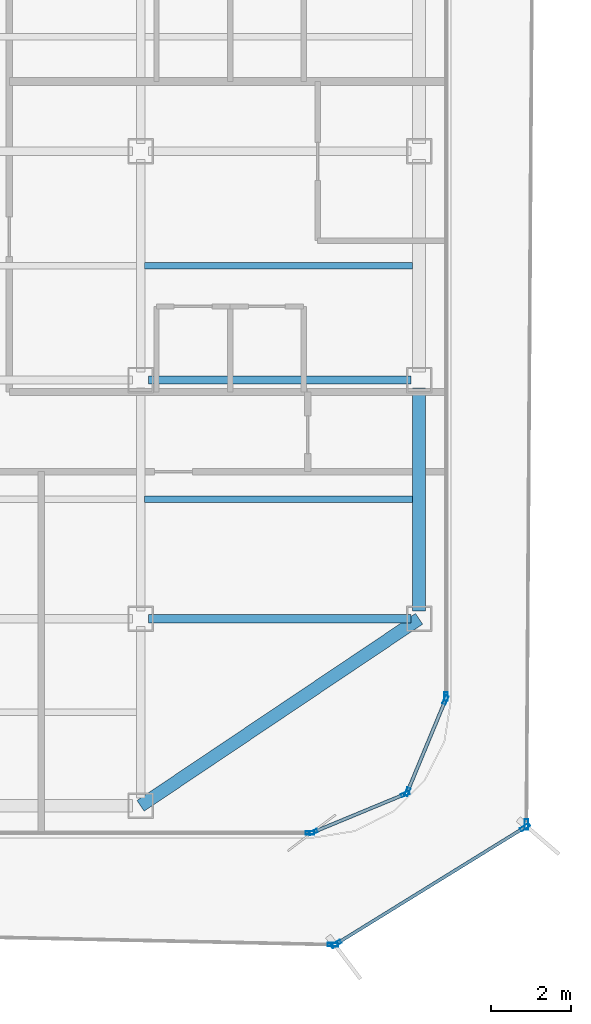
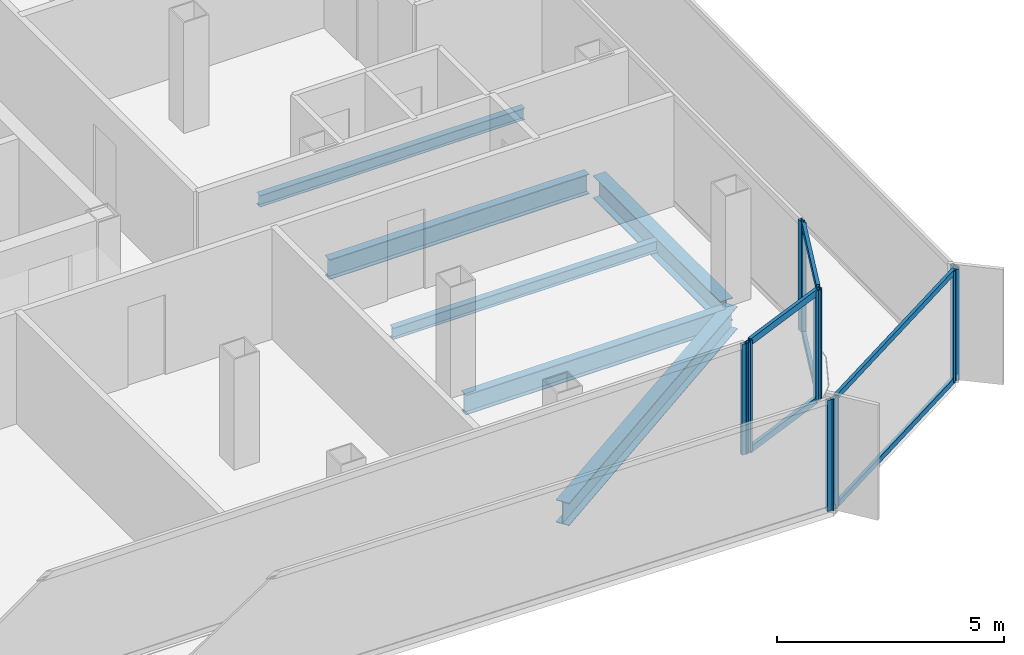
# One storey, part 4 of 15: 16 members, 6 beams, 7 elements without a shape of their own.
"""IFC4 building model written with IfcOpenShell, lengths in metres."""

from ifc_helpers import new_model, si_unit, direction, frame, origin, origin_2d, place, context, subcontext, project, spatial, hollow_rectangle, i_section, extrude, source, transform, mapped, material, layer, layer_set, material_profile, profile_set, type_object, element, aggregate, save


model = new_model("IFC4")

# Units and contexts
model_context = context("Model", 3, precision=1e-05, world=origin(), true_north=direction((0.0, 1.0)))
body_context = subcontext(model_context, "Body", "Model", "MODEL_VIEW")
ifc_project = project(units=[si_unit("LENGTHUNIT", "METRE"), si_unit("AREAUNIT", "SQUARE_METRE"), si_unit("VOLUMEUNIT", "CUBIC_METRE"), si_unit("PLANEANGLEUNIT", "RADIAN"), si_unit("MASSUNIT", "GRAM", prefix="KILO")], contexts=[model_context])

# Site, building, storey
site_placement = place(None, origin())
site = spatial("IfcSite", under=ifc_project, at=site_placement, CompositionType="ELEMENT")
building_placement = place(site_placement, origin())
building = spatial("IfcBuilding", under=site, at=building_placement, Name="Kolveth Station Tower", CompositionType="ELEMENT")
storey_placement = place(building_placement, frame((0.0, 0.0, 248.89990234375)))
storey = spatial("IfcBuildingStorey", under=building, at=storey_placement, Name="L71", CompositionType="ELEMENT", Elevation=248.89990234375)

# Beams
ifc_material_1 = material(Name="Steel S355", Category="steel")
ifc_material_profile_1 = material_profile(ifc_material_1, i_section(OverallWidth=0.323974609375, OverallDepth=0.611083984375, WebThickness=0.0126953125, FlangeThickness=0.01904296875, at=origin_2d()), Name="W610x155")
ifc_profile_set_1 = profile_set([ifc_material_profile_1], Name="Steel S355")
beam_type_1 = type_object("IfcBeamType", Name="Beam_SP2", PredefinedType="SPANDREL", material=ifc_profile_set_1)
shared_shape_1 = source(origin(), body_context, "Body", "SweptSolid", [
    extrude(i_section(OverallWidth=0.323974609375, OverallDepth=0.611083984375, WebThickness=0.0126953125, FlangeThickness=0.01904296875, at=origin_2d()), origin(), (0.0, 0.0, 1.0), 8.431396484375),
])
beam_1_placement = place(storey_placement, frame((34.0, 0.800048828125, -0.525390625), z_axis=(0.830223811004, 0.557430196206, 0.0), x_axis=(-0.557430196206, 0.830223811004, 0.0)))
element("IfcBeam", 1, at=beam_1_placement, inside=storey, type_object=beam_type_1, Name="L71 Corner Edge Girder BM-L71-CNR-SE", PredefinedType="SPANDREL", context=body_context, shape_type="MappedRepresentation", body=[
    mapped(shared_shape_1, transform((0.0, 0.0, 0.0), x_axis=(1.0, 0.0, 0.0), y_axis=(0.0, 1.0, 0.0), z_axis=(0.0, 0.0, 1.0), scale=1.0)),
])
shared_shape_2 = source(origin(), body_context, "Body", "SweptSolid", [
    extrude(i_section(OverallWidth=0.323974609375, OverallDepth=0.611083984375, WebThickness=0.0126953125, FlangeThickness=0.01904296875, at=origin_2d()), origin(), (0.0, 0.0, 1.0), 5.60009765625),
])
beam_2_placement = place(storey_placement, frame((41.0, 5.699951171875, -0.525390625), z_axis=(0.0, 1.0, 0.0), x_axis=(-1.0, 0.0, 0.0)))
element("IfcBeam", 2, at=beam_2_placement, inside=storey, type_object=beam_type_1, Name="L71 Perimeter Spandrel BM-L71-PE-1", PredefinedType="SPANDREL", context=body_context, shape_type="MappedRepresentation", body=[
    mapped(shared_shape_2, transform((0.0, 0.0, 0.0), x_axis=(1.0, 0.0, 0.0), y_axis=(0.0, 1.0, 0.0), z_axis=(0.0, 0.0, 1.0), scale=1.0)),
])
ifc_material_profile_2 = material_profile(ifc_material_1, i_section(OverallWidth=0.2099609375, OverallDepth=0.537109375, WebThickness=0.010986328125, FlangeThickness=0.017333984375, at=origin_2d()), Name="W530x101")
ifc_profile_set_2 = profile_set([ifc_material_profile_2], Name="Steel S355")
beam_type_2 = type_object("IfcBeamType", Name="Beam_B6", PredefinedType="BEAM", material=ifc_profile_set_2)
shared_shape_3 = source(origin(), body_context, "Body", "SweptSolid", [
    extrude(i_section(OverallWidth=0.2099609375, OverallDepth=0.537109375, WebThickness=0.010986328125, FlangeThickness=0.017333984375, at=origin_2d()), origin(), (0.0, 0.0, 1.0), 6.60009765625),
])
for number, where, z_axis, x_axis, name in (
    (3, (34.199951171875, 5.5, -0.48828125), (1.0, 0.0, 0.0), (0.0, 1.0, 0.0), "L71 Primary Girder BM-L71-GY55-5"),
    (4, (34.199951171875, 11.5, -0.48828125), (1.0, 0.0, 0.0), (0.0, 1.0, 0.0), "L71 Primary Girder BM-L71-GY115-5"),
):
    element("IfcBeam", number, at=place(storey_placement, frame(where, z_axis=z_axis, x_axis=x_axis)), inside=storey, type_object=beam_type_2, Name=name, PredefinedType="BEAM", context=body_context, shape_type="MappedRepresentation", body=[
        mapped(shared_shape_3, transform((0.0, 0.0, 0.0), x_axis=(1.0, 0.0, 0.0), y_axis=(0.0, 1.0, 0.0), z_axis=(0.0, 0.0, 1.0), scale=1.0)),
    ])
ifc_material_profile_3 = material_profile(ifc_material_1, i_section(OverallWidth=0.1650390625, OverallDepth=0.31005859375, WebThickness=0.005859375, FlangeThickness=0.009765625, at=origin_2d()), Name="W310x39")
ifc_profile_set_3 = profile_set([ifc_material_profile_3], Name="Steel S355")
beam_type_3 = type_object("IfcBeamType", Name="Beam_J3", PredefinedType="JOIST", material=ifc_profile_set_3)
shared_shape_4 = source(origin(), body_context, "Body", "SweptSolid", [
    extrude(i_section(OverallWidth=0.1650390625, OverallDepth=0.31005859375, WebThickness=0.005859375, FlangeThickness=0.009765625, at=origin_2d()), origin(), (0.0, 0.0, 1.0), 6.737060546875),
])
for number, where, z_axis, x_axis, name in (
    (5, (34.10302734375, 8.5, -0.375), (1.0, 0.0, 0.0), (0.0, 1.0, 0.0), "L71 Secondary Joist JST-L71-5-2"),
    (6, (34.10302734375, 14.375, -0.375), (1.0, 0.0, 0.0), (0.0, 1.0, 0.0), "L71 Secondary Joist JST-L71-5-3"),
):
    element("IfcBeam", number, at=place(storey_placement, frame(where, z_axis=z_axis, x_axis=x_axis)), inside=storey, type_object=beam_type_3, Name=name, PredefinedType="JOIST", context=body_context, shape_type="MappedRepresentation", body=[
        mapped(shared_shape_4, transform((0.0, 0.0, 0.0), x_axis=(1.0, 0.0, 0.0), y_axis=(0.0, 1.0, 0.0), z_axis=(0.0, 0.0, 1.0), scale=1.0)),
    ])

# Curtain wall, members
ifc_material_2 = material(Name="Black anodized aluminium 6063-T6 and dark solar glass", Category="aluminium")
ifc_layer_1 = layer(ifc_material_2, 0.159912109375)
ifc_layer_set_1 = layer_set([ifc_layer_1], Name="Black anodized aluminium 6063-T6 and dark solar glass")
curtain_wall_type_1 = type_object("IfcCurtainWallType", Name="OUTER SKIN CW-OS", PredefinedType="NOTDEFINED", material=ifc_layer_set_1)
curtain_wall_1_placement = place(storey_placement, origin())
curtain_wall_1 = element("IfcCurtainWall", 7, at=curtain_wall_1_placement, inside=storey, type_object=curtain_wall_type_1, Name="L71 Outer Ventilated Skin Curtain Wall 1", PredefinedType="NOTDEFINED")
ifc_material_3 = material(Name="Black anodized aluminium 6063-T6", Category="aluminium")
ifc_material_profile_4 = material_profile(ifc_material_3, hollow_rectangle(XDim=0.090087890625, YDim=0.260009765625, WallThickness=0.0048828125, at=origin_2d()), Name="ALU-90x260x5")
ifc_profile_set_4 = profile_set([ifc_material_profile_4], Name="Black anodized aluminium 6063-T6")
member_type_1 = type_object("IfcMemberType", Name="FIN MULLION ML-OS", PredefinedType="MULLION", material=ifc_profile_set_4)
shared_shape_5 = source(origin(), body_context, "Body", "SweptSolid", [
    extrude(hollow_rectangle(XDim=0.090087890625, YDim=0.260009765625, WallThickness=0.0048828125, at=origin_2d()), origin(), (0.0, 0.0, 1.0), 2.989990234375),
])
member_1_placement = place(storey_placement, frame((38.9169921875, -2.670654296875, 0.0), z_axis=(0.0, 0.0, 1.0), x_axis=(-0.52568516875, 0.850679201201, 0.0)))
member_1 = element("IfcMember", 8, at=member_1_placement, type_object=member_type_1, Name="CW-OS mullion 1", PredefinedType="MULLION", context=body_context, shape_type="MappedRepresentation", body=[
    mapped(shared_shape_5, transform((0.0, 0.0, 0.0), x_axis=(1.0, 0.0, 0.0), y_axis=(0.0, 1.0, 0.0), z_axis=(0.0, 0.0, 1.0), scale=1.0)),
])
member_2_placement = place(storey_placement, frame((43.66259765625, 0.261962890625, 0.0), z_axis=(0.0, 0.0, 1.0), x_axis=(-0.52568516875, 0.850679201201, 0.0)))
member_2 = element("IfcMember", 9, at=member_2_placement, type_object=member_type_1, Name="CW-OS mullion 2", PredefinedType="MULLION", context=body_context, shape_type="MappedRepresentation", body=[
    mapped(shared_shape_5, transform((0.0, 0.0, 0.0), x_axis=(1.0, 0.0, 0.0), y_axis=(0.0, 1.0, 0.0), z_axis=(0.0, 0.0, 1.0), scale=1.0)),
])

# Curtain wall, member
curtain_wall_2_placement = place(storey_placement, origin())
curtain_wall_2 = element("IfcCurtainWall", 10, at=curtain_wall_2_placement, inside=storey, type_object=curtain_wall_type_1, Name="L71 Outer Ventilated Skin Curtain Wall 2", PredefinedType="NOTDEFINED")
member_3_placement = place(storey_placement, frame((43.701171875, 0.33056640625, 0.0), z_axis=(0.0, 0.0, 1.0), x_axis=(-0.999978311939, 0.00658601934, 0.0)))
member_3 = element("IfcMember", 11, at=member_3_placement, type_object=member_type_1, Name="CW-OS mullion 1", PredefinedType="MULLION", context=body_context, shape_type="MappedRepresentation", body=[
    mapped(shared_shape_5, transform((0.0, 0.0, 0.0), x_axis=(1.0, 0.0, 0.0), y_axis=(0.0, 1.0, 0.0), z_axis=(0.0, 0.0, 1.0), scale=1.0)),
])
aggregate(curtain_wall_2, [member_3])

curtain_wall_3_placement = place(storey_placement, origin())
curtain_wall_3 = element("IfcCurtainWall", 12, at=curtain_wall_3_placement, inside=storey, type_object=curtain_wall_type_1, Name="L71 Outer Ventilated Skin Curtain Wall 8", PredefinedType="NOTDEFINED")
member_4_placement = place(storey_placement, frame((38.833740234375, -2.693115234375, 0.0), z_axis=(0.0, 0.0, 1.0), x_axis=(0.021662817594, 0.999765333633, 0.0)))
member_4 = element("IfcMember", 13, at=member_4_placement, type_object=member_type_1, Name="CW-OS mullion 2", PredefinedType="MULLION", context=body_context, shape_type="MappedRepresentation", body=[
    mapped(shared_shape_5, transform((0.0, 0.0, 0.0), x_axis=(1.0, 0.0, 0.0), y_axis=(0.0, 1.0, 0.0), z_axis=(0.0, 0.0, 1.0), scale=1.0)),
])
aggregate(curtain_wall_3, [member_4])

# Curtain wall, members
ifc_material_4 = material(Name="Aluminium 6063-T6 and triple low-E dark glass", Category="aluminium")
ifc_layer_2 = layer(ifc_material_4, 0.199951171875)
ifc_layer_set_2 = layer_set([ifc_layer_2], Name="Aluminium 6063-T6 and triple low-E dark glass")
curtain_wall_type_2 = type_object("IfcCurtainWallType", Name="CurtainWall_CW-Z3", PredefinedType="NOTDEFINED", material=ifc_layer_set_2)
curtain_wall_4_placement = place(storey_placement, origin())
curtain_wall_4 = element("IfcCurtainWall", 14, at=curtain_wall_4_placement, inside=storey, type_object=curtain_wall_type_2, Name="L71 Inner Thermal Curtain Wall 1", PredefinedType="NOTDEFINED")
ifc_material_profile_5 = material_profile(ifc_material_3, hollow_rectangle(XDim=0.0849609375, YDim=0.215087890625, WallThickness=0.0048828125, at=origin_2d()), Name="ALU-85x215x5")
ifc_profile_set_5 = profile_set([ifc_material_profile_5], Name="Black anodized aluminium 6063-T6")
member_type_2 = type_object("IfcMemberType", Name="Mullion_ML3", PredefinedType="MULLION", material=ifc_profile_set_5)
shared_shape_6 = source(origin(), body_context, "Body", "SweptSolid", [
    extrude(hollow_rectangle(XDim=0.0849609375, YDim=0.215087890625, WallThickness=0.0048828125, at=origin_2d()), origin(), (0.0, 0.0, 1.0), 2.97998046875),
])
member_5_placement = place(storey_placement, frame((38.33935546875, 0.13623046875, 0.0), z_axis=(0.0, 0.0, 1.0), x_axis=(-0.382693194181, 0.923875488975, 0.0)))
member_5 = element("IfcMember", 15, at=member_5_placement, type_object=member_type_2, Name="CW-Z3 mullion 1", PredefinedType="MULLION", context=body_context, shape_type="MappedRepresentation", body=[
    mapped(shared_shape_6, transform((0.0, 0.0, 0.0), x_axis=(1.0, 0.0, 0.0), y_axis=(0.0, 1.0, 0.0), z_axis=(0.0, 0.0, 1.0), scale=1.0)),
])
member_6_placement = place(storey_placement, frame((40.650634765625, 1.09375, 0.0), z_axis=(0.0, 0.0, 1.0), x_axis=(-0.382693194181, 0.923875488975, 0.0)))
member_6 = element("IfcMember", 16, at=member_6_placement, type_object=member_type_2, Name="CW-Z3 mullion 2", PredefinedType="MULLION", context=body_context, shape_type="MappedRepresentation", body=[
    mapped(shared_shape_6, transform((0.0, 0.0, 0.0), x_axis=(1.0, 0.0, 0.0), y_axis=(0.0, 1.0, 0.0), z_axis=(0.0, 0.0, 1.0), scale=1.0)),
])

curtain_wall_5_placement = place(storey_placement, origin())
curtain_wall_5 = element("IfcCurtainWall", 17, at=curtain_wall_5_placement, inside=storey, type_object=curtain_wall_type_2, Name="L71 Inner Thermal Curtain Wall 2", PredefinedType="NOTDEFINED")
member_7_placement = place(storey_placement, frame((40.706298828125, 1.149169921875, 0.0), z_axis=(0.0, 0.0, 1.0), x_axis=(-0.923875488975, 0.382693194181, 0.0)))
member_7 = element("IfcMember", 18, at=member_7_placement, type_object=member_type_2, Name="CW-Z3 mullion 1", PredefinedType="MULLION", context=body_context, shape_type="MappedRepresentation", body=[
    mapped(shared_shape_6, transform((0.0, 0.0, 0.0), x_axis=(1.0, 0.0, 0.0), y_axis=(0.0, 1.0, 0.0), z_axis=(0.0, 0.0, 1.0), scale=1.0)),
])
member_8_placement = place(storey_placement, frame((41.663818359375, 3.460693359375, 0.0), z_axis=(0.0, 0.0, 1.0), x_axis=(-0.923875488975, 0.382693194181, 0.0)))
member_8 = element("IfcMember", 19, at=member_8_placement, type_object=member_type_2, Name="CW-Z3 mullion 2", PredefinedType="MULLION", context=body_context, shape_type="MappedRepresentation", body=[
    mapped(shared_shape_6, transform((0.0, 0.0, 0.0), x_axis=(1.0, 0.0, 0.0), y_axis=(0.0, 1.0, 0.0), z_axis=(0.0, 0.0, 1.0), scale=1.0)),
])

# Curtain wall, member
curtain_wall_6_placement = place(storey_placement, origin())
curtain_wall_6 = element("IfcCurtainWall", 20, at=curtain_wall_6_placement, inside=storey, type_object=curtain_wall_type_2, Name="L71 Inner Thermal Curtain Wall 3", PredefinedType="NOTDEFINED")
member_9_placement = place(storey_placement, frame((41.679931640625, 3.54248046875, 0.0), z_axis=(0.0, 0.0, 1.0), x_axis=(-1.0, 0.0, 0.0)))
member_9 = element("IfcMember", 21, at=member_9_placement, type_object=member_type_2, Name="CW-Z3 mullion 1", PredefinedType="MULLION", context=body_context, shape_type="MappedRepresentation", body=[
    mapped(shared_shape_6, transform((0.0, 0.0, 0.0), x_axis=(1.0, 0.0, 0.0), y_axis=(0.0, 1.0, 0.0), z_axis=(0.0, 0.0, 1.0), scale=1.0)),
])
aggregate(curtain_wall_6, [member_9])

curtain_wall_7_placement = place(storey_placement, origin())
curtain_wall_7 = element("IfcCurtainWall", 22, at=curtain_wall_7_placement, inside=storey, type_object=curtain_wall_type_2, Name="L71 Inner Thermal Curtain Wall 12", PredefinedType="NOTDEFINED")
member_10_placement = place(storey_placement, frame((38.257568359375, 0.1201171875, 0.0), z_axis=(0.0, 0.0, 1.0), x_axis=(0.0, 1.0, 0.0)))
member_10 = element("IfcMember", 23, at=member_10_placement, type_object=member_type_2, Name="CW-Z3 mullion 2", PredefinedType="MULLION", context=body_context, shape_type="MappedRepresentation", body=[
    mapped(shared_shape_6, transform((0.0, 0.0, 0.0), x_axis=(1.0, 0.0, 0.0), y_axis=(0.0, 1.0, 0.0), z_axis=(0.0, 0.0, 1.0), scale=1.0)),
])
aggregate(curtain_wall_7, [member_10])

# Member
ifc_material_profile_6 = material_profile(ifc_material_3, hollow_rectangle(XDim=0.0849609375, YDim=0.179931640625, WallThickness=0.0048828125, at=origin_2d()), Name="ALU-85x180x5")
ifc_profile_set_6 = profile_set([ifc_material_profile_6], Name="Black anodized aluminium 6063-T6")
member_type_3 = type_object("IfcMemberType", Name="Transom_TR3", PredefinedType="USERDEFINED", material=ifc_profile_set_6)
shared_shape_7 = source(origin(), body_context, "Body", "SweptSolid", [
    extrude(hollow_rectangle(XDim=0.0849609375, YDim=0.179931640625, WallThickness=0.0048828125, at=origin_2d()), origin(), (0.0, 0.0, 1.0), 2.4169921875),
])
member_11_placement = place(storey_placement, frame((38.37841796875, 0.152587890625, 0.04248046875), z_axis=(0.923908507952, 0.382613471971, 0.0), x_axis=(-0.382613471971, 0.923908507952, 0.0)))
member_11 = element("IfcMember", 24, at=member_11_placement, type_object=member_type_3, Name="CW-Z3 transom 1.1", ObjectType="TRANSOM", PredefinedType="USERDEFINED", context=body_context, shape_type="MappedRepresentation", body=[
    mapped(shared_shape_7, transform((0.0, 0.0, 0.0), x_axis=(1.0, 0.0, 0.0), y_axis=(0.0, 1.0, 0.0), z_axis=(0.0, 0.0, 1.0), scale=1.0)),
])

member_12_placement = place(storey_placement, frame((38.37841796875, 0.152587890625, 2.9375), z_axis=(0.923908507952, 0.382613471971, 0.0), x_axis=(-0.382613471971, 0.923908507952, 0.0)))
member_12 = element("IfcMember", 25, at=member_12_placement, type_object=member_type_3, Name="CW-Z3 transom 1.2", ObjectType="TRANSOM", PredefinedType="USERDEFINED", context=body_context, shape_type="MappedRepresentation", body=[
    mapped(shared_shape_7, transform((0.0, 0.0, 0.0), x_axis=(1.0, 0.0, 0.0), y_axis=(0.0, 1.0, 0.0), z_axis=(0.0, 0.0, 1.0), scale=1.0)),
])

aggregate(curtain_wall_4, [member_5, member_6, member_11, member_12])

member_13_placement = place(storey_placement, frame((40.722412109375, 1.1884765625, 0.04248046875), z_axis=(0.382735401206, 0.9238580046, 0.0), x_axis=(-0.9238580046, 0.382735401206, 0.0)))
member_13 = element("IfcMember", 26, at=member_13_placement, type_object=member_type_3, Name="CW-Z3 transom 1.1", ObjectType="TRANSOM", PredefinedType="USERDEFINED", context=body_context, shape_type="MappedRepresentation", body=[
    mapped(shared_shape_7, transform((0.0, 0.0, 0.0), x_axis=(1.0, 0.0, 0.0), y_axis=(0.0, 1.0, 0.0), z_axis=(0.0, 0.0, 1.0), scale=1.0)),
])

member_14_placement = place(storey_placement, frame((40.722412109375, 1.1884765625, 2.9375), z_axis=(0.382735401206, 0.9238580046, 0.0), x_axis=(-0.9238580046, 0.382735401206, 0.0)))
member_14 = element("IfcMember", 27, at=member_14_placement, type_object=member_type_3, Name="CW-Z3 transom 1.2", ObjectType="TRANSOM", PredefinedType="USERDEFINED", context=body_context, shape_type="MappedRepresentation", body=[
    mapped(shared_shape_7, transform((0.0, 0.0, 0.0), x_axis=(1.0, 0.0, 0.0), y_axis=(0.0, 1.0, 0.0), z_axis=(0.0, 0.0, 1.0), scale=1.0)),
])

aggregate(curtain_wall_5, [member_7, member_8, member_13, member_14])

ifc_material_profile_7 = material_profile(ifc_material_3, hollow_rectangle(XDim=0.080078125, YDim=0.14990234375, WallThickness=0.0048828125, at=origin_2d()), Name="ALU-80x150x5")
ifc_profile_set_7 = profile_set([ifc_material_profile_7], Name="Black anodized aluminium 6063-T6")
member_type_4 = type_object("IfcMemberType", Name="Transom_TR-OS", PredefinedType="USERDEFINED", material=ifc_profile_set_7)
shared_shape_8 = source(origin(), body_context, "Body", "SweptSolid", [
    extrude(hollow_rectangle(XDim=0.080078125, YDim=0.14990234375, WallThickness=0.0048828125, at=origin_2d()), origin(), (0.0, 0.0, 1.0), 5.488525390625),
])
member_15_placement = place(storey_placement, frame((38.955322265625, -2.64697265625, 0.0400390625), z_axis=(0.850676310213, 0.525689847004, 0.0), x_axis=(-0.525689847004, 0.850676310213, 0.0)))
member_15 = element("IfcMember", 28, at=member_15_placement, type_object=member_type_4, Name="CW-OS transom 1.1", ObjectType="TRANSOM", PredefinedType="USERDEFINED", context=body_context, shape_type="MappedRepresentation", body=[
    mapped(shared_shape_8, transform((0.0, 0.0, 0.0), x_axis=(1.0, 0.0, 0.0), y_axis=(0.0, 1.0, 0.0), z_axis=(0.0, 0.0, 1.0), scale=1.0)),
])

member_16_placement = place(storey_placement, frame((38.955322265625, -2.64697265625, 2.9501953125), z_axis=(0.850676310213, 0.525689847004, 0.0), x_axis=(-0.525689847004, 0.850676310213, 0.0)))
member_16 = element("IfcMember", 29, at=member_16_placement, type_object=member_type_4, Name="CW-OS transom 1.2", ObjectType="TRANSOM", PredefinedType="USERDEFINED", context=body_context, shape_type="MappedRepresentation", body=[
    mapped(shared_shape_8, transform((0.0, 0.0, 0.0), x_axis=(1.0, 0.0, 0.0), y_axis=(0.0, 1.0, 0.0), z_axis=(0.0, 0.0, 1.0), scale=1.0)),
])

aggregate(curtain_wall_1, [member_1, member_2, member_15, member_16])

save(model, "model.ifc")
